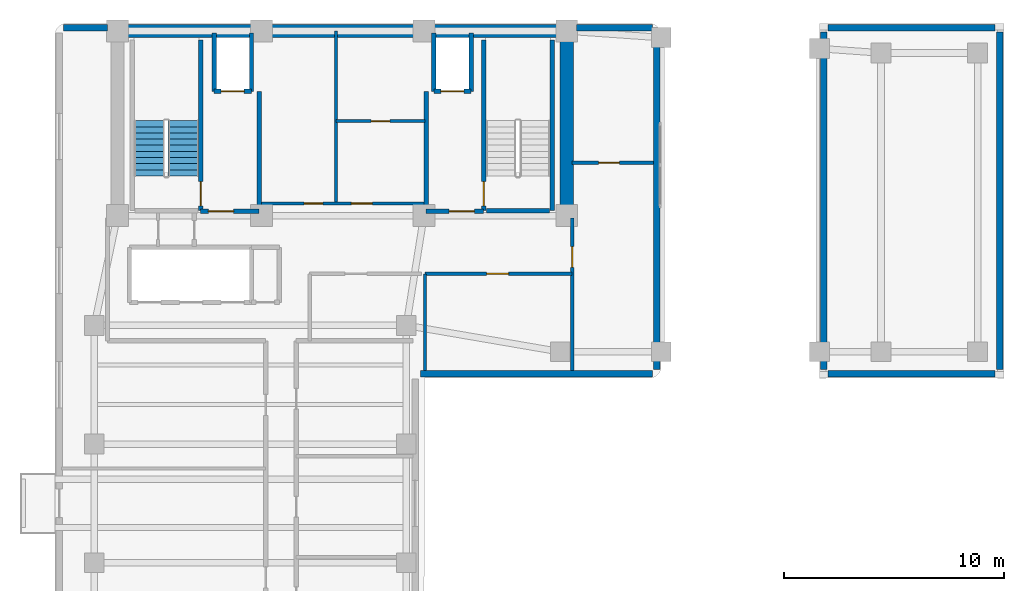
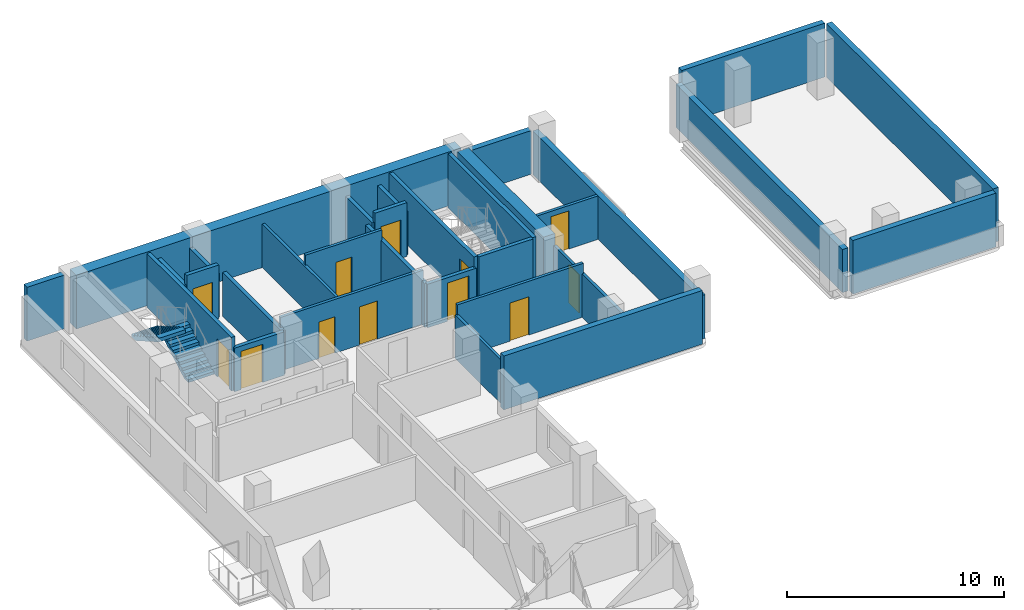
# One storey, part 7 of 10: 31 walls, 12 doors, 2 stair flights, 12 openings, 1 element without a shape of its own.
"""IFC4 building model written with IfcOpenShell, lengths in metres."""

from ifc_helpers import new_model, si_unit, direction, frame, frame_2d, origin, place, context, subcontext, project, spatial, polyline, rectangle, outline, extrude, material, layer, layer_set, type_object, element, fill, aggregate, save


model = new_model("IFC4")

# Units and contexts
model_context = context("Model", 3, precision=1e-05, world=origin(), true_north=direction((0.0, 1.0)))
body_context = subcontext(model_context, "Body", "Model", "MODEL_VIEW")
ifc_project = project(units=[si_unit("LENGTHUNIT", "METRE"), si_unit("AREAUNIT", "SQUARE_METRE"), si_unit("VOLUMEUNIT", "CUBIC_METRE"), si_unit("PLANEANGLEUNIT", "RADIAN"), si_unit("MASSUNIT", "GRAM", prefix="KILO")], contexts=[model_context])

# Site, building, storey
site_placement = place(None, origin())
site = spatial("IfcSite", under=ifc_project, at=site_placement, CompositionType="ELEMENT")
building_placement = place(site_placement, origin())
building = spatial("IfcBuilding", under=site, at=building_placement, Name="Kuzgunbayir Cultural Tower", CompositionType="ELEMENT")
storey_placement = place(building_placement, frame((0.0, 0.0, 163.199951171875)))
storey = spatial("IfcBuildingStorey", under=building, at=storey_placement, Name="L47", CompositionType="ELEMENT", Elevation=163.199951171875)

# Walls
ifc_material_1 = material(Name="Concrete C60/75", Category="concrete")
ifc_layer_1 = layer(ifc_material_1, 0.60009765625)
ifc_layer_set_1 = layer_set([ifc_layer_1], Name="Concrete C60/75")
wall_type_1 = type_object("IfcWallType", Name="WAL-CORE-600", PredefinedType="SHEAR", material=ifc_layer_set_1)
wall_1_placement = place(storey_placement, frame((6.449951171875, 42.199951171875, 0.0), z_axis=(0.0, 0.0, 1.0), x_axis=(1.0, 0.0, 0.0)))
element("IfcWall", 1, at=wall_1_placement, inside=storey, type_object=wall_type_1, Name="L47 T1 Core North Shear Wall", PredefinedType="SHEAR", context=body_context, shape_type="SweptSolid", body=[
    extrude(rectangle(XDim=20.449951171875, YDim=0.60009765625, at=frame_2d((10.22509765625, 0.0))), origin(), (0.0, 0.0, 1.0), 3.02001953125),
])
wall_2_placement = place(storey_placement, frame((26.89990234375, 33.800048828125, 0.0), z_axis=(0.0, 0.0, 1.0), x_axis=(0.0, 1.0, 0.0)))
element("IfcWall", 2, at=wall_2_placement, inside=storey, type_object=wall_type_1, Name="L47 T1 Core East Shear Wall", PredefinedType="SHEAR", context=body_context, shape_type="SweptSolid", body=[
    extrude(rectangle(XDim=7.949951171875, YDim=0.60009765625, at=frame_2d((3.97509765625, 0.0))), origin(), (0.0, 0.0, 1.0), 3.02001953125),
])
ifc_material_2 = material(Name="Anatolian Cream Limestone", Category="masonry")
ifc_layer_2 = layer(ifc_material_2, 0.300048828125)
ifc_layer_set_2 = layer_set([ifc_layer_2], Name="Anatolian Cream Limestone")
wall_type_2 = type_object("IfcWallType", Name="WAL-EXT-STONE-300", PredefinedType="STANDARD", material=ifc_layer_set_2)
wall_3_placement = place(storey_placement, frame((30.800048828125, 42.35009765625, 0.0), z_axis=(0.0, 0.0, 1.0), x_axis=(-1.0, 0.0, 0.0)))
element("IfcWall", 3, at=wall_3_placement, inside=storey, type_object=wall_type_2, Name="L47 North Wing B Limestone Wall", PredefinedType="STANDARD", context=body_context, shape_type="SweptSolid", body=[
    extrude(rectangle(XDim=3.449951171875, YDim=0.300048828125, at=frame_2d((1.72509765625, 0.0))), origin(), (0.0, 0.0, 1.0), 2.449951171875),
])
wall_4_placement = place(storey_placement, frame((6.0, 42.35009765625, 0.0), z_axis=(0.0, 0.0, 1.0), x_axis=(-1.0, 0.0, 0.0)))
element("IfcWall", 4, at=wall_4_placement, inside=storey, type_object=wall_type_2, Name="L47 Core North-West Spandrel Link", PredefinedType="STANDARD", context=body_context, shape_type="SweptSolid", body=[
    extrude(rectangle(XDim=2.0, YDim=0.300048828125, at=frame_2d((1.0, 0.0))), origin(), (0.0, 0.0, 1.0), 3.02001953125),
])
wall_5_placement = place(storey_placement, frame((20.25, 26.60009765625, 0.0), z_axis=(0.0, 0.0, 1.0), x_axis=(1.0, 0.0, 0.0)))
element("IfcWall", 5, at=wall_5_placement, inside=storey, type_object=wall_type_2, Name="L47 Wind-Portal West Wing Wall", PredefinedType="STANDARD", context=body_context, shape_type="SweptSolid", body=[
    extrude(rectangle(XDim=10.550048828125, YDim=0.300048828125, at=frame_2d((5.27490234375, 0.0))), origin(), (0.0, 0.0, 1.0), 3.02001953125),
])
for number, where, z_axis, x_axis, name in (
    (6, (38.800048828125, 26.60009765625, 0.0), (0.0, 0.0, 1.0), (1.0, 0.0, 0.0), "L47 Wind-Portal East Pier South Wall"),
    (7, (46.39990234375, 42.35009765625, 0.0), (0.0, 0.0, 1.0), (-1.0, 0.0, 0.0), "L47 Wind-Portal East Pier North Wall"),
):
    element("IfcWall", number, at=place(storey_placement, frame(where, z_axis=z_axis, x_axis=x_axis)), inside=storey, type_object=wall_type_2, Name=name, PredefinedType="STANDARD", context=body_context, shape_type="SweptSolid", body=[
        extrude(rectangle(XDim=7.599853515625, YDim=0.300048828125, at=frame_2d((3.7998046875, 0.0))), origin(), (0.0, 0.0, 1.0), 3.02001953125),
    ])
wall_6_placement = place(storey_placement, frame((31.0, 26.800048828125, 0.0), z_axis=(0.0, 0.0, 1.0), x_axis=(0.0, 1.0, 0.0)))
element("IfcWall", 8, at=wall_6_placement, inside=storey, type_object=wall_type_2, Name="L47 Wind-Portal West Jamb Wall", PredefinedType="STANDARD", context=body_context, shape_type="SweptSolid", body=[
    extrude(rectangle(XDim=15.349853515625, YDim=0.300048828125, at=frame_2d((7.6748046875, 0.0))), origin(), (0.0, 0.0, 1.0), 2.449951171875),
])
wall_7_placement = place(storey_placement, frame((38.60009765625, 42.14990234375, 0.0), z_axis=(0.0, 0.0, 1.0), x_axis=(0.0, -1.0, 0.0)))
element("IfcWall", 9, at=wall_7_placement, inside=storey, type_object=wall_type_2, Name="L47 Wind-Portal East Jamb Wall", PredefinedType="STANDARD", context=body_context, shape_type="SweptSolid", body=[
    extrude(rectangle(XDim=15.349853515625, YDim=0.300048828125, at=frame_2d((7.6748046875, 0.0))), origin(), (0.0, 0.0, 1.0), 2.420166015625),
])
wall_8_placement = place(storey_placement, frame((46.60009765625, 26.800048828125, 0.0), z_axis=(0.0, 0.0, 1.0), x_axis=(0.0, 1.0, 0.0)))
element("IfcWall", 10, at=wall_8_placement, inside=storey, type_object=wall_type_2, Name="L47 Wind-Portal East Wall", PredefinedType="STANDARD", context=body_context, shape_type="SweptSolid", body=[
    extrude(rectangle(XDim=15.349853515625, YDim=0.300048828125, at=frame_2d((7.6748046875, 0.0))), origin(), (0.0, 0.0, 1.0), 3.02001953125),
])

# Wall, openings, doors
ifc_material_3 = material(Name="Acoustic Double-Stud Drywall", Category="gypsum")
ifc_layer_3 = layer(ifc_material_3, 0.14990234375)
ifc_layer_set_3 = layer_set([ifc_layer_3], Name="Acoustic Double-Stud Drywall")
wall_type_3 = type_object("IfcWallType", Name="WAL-PART-ACOUSTIC-150", PredefinedType="PARTITIONING", material=ifc_layer_set_3)
wall_9_placement = place(storey_placement, frame((12.89990234375, 34.35009765625, 0.0), z_axis=(0.0, 0.0, 1.0), x_axis=(1.0, 0.0, 0.0)))
wall_9 = element("IfcWall", 11, at=wall_9_placement, inside=storey, type_object=wall_type_3, Name="L47 Sky Core South Wall", PredefinedType="PARTITIONING", context=body_context, shape_type="SweptSolid", body=[
    extrude(rectangle(XDim=7.60009765625, YDim=0.14990234375, at=frame_2d((3.800048828125, 0.0))), origin(), (0.0, 0.0, 1.0), 3.02001953125),
])
opening_1_placement = place(wall_9_placement, frame((2.050048828125, 0.0, 0.0)))
opening_1 = element("IfcOpeningElement", 12, at=opening_1_placement, cuts=wall_9, Name="Opening DC-85", PredefinedType="OPENING", context=body_context, shape_type="SweptSolid", body=[
    extrude(rectangle(XDim=0.85009765625, YDim=2.050048828125, at=frame_2d((0.425048828125, 1.02490234375))), frame((0.0, 0.0849609375, 0.0), z_axis=(0.0, -1.0, 0.0), x_axis=(1.0, 0.0, 0.0)), (0.0, 0.0, 1.0), 0.169921875),
])
opening_2_placement = place(wall_9_placement, frame((4.199951171875, 0.0, 0.0)))
opening_2 = element("IfcOpeningElement", 13, at=opening_2_placement, cuts=wall_9, Name="Opening DC-95", PredefinedType="OPENING", context=body_context, shape_type="SweptSolid", body=[
    extrude(rectangle(XDim=0.949951171875, YDim=2.14990234375, at=frame_2d((0.47509765625, 1.074951171875))), frame((0.0, 0.0849609375, 0.0), z_axis=(0.0, -1.0, 0.0), x_axis=(1.0, 0.0, 0.0)), (0.0, 0.0, 1.0), 0.169921875),
])
ifc_material_4 = material(Name="Fire-Rated Veneered Oak Leaf", Category="wood")
door_type_1 = type_object("IfcDoorType", Name="DR-CORE-85", OperationType="NOTDEFINED", PredefinedType="DOOR", material=ifc_material_4)
door_1_placement = place(opening_1_placement, origin())
door_1 = element("IfcDoor", 14, at=door_1_placement, inside=storey, type_object=door_type_1, Name="L47 Study Pod Door", OperationType="SINGLE_SWING_RIGHT", OverallHeight=2.050048828125, OverallWidth=0.85009765625, PredefinedType="DOOR", context=body_context, shape_type="SweptSolid", body=[
    extrude(rectangle(XDim=0.85009765625, YDim=2.050048828125, at=frame_2d((0.425048828125, 1.02490234375))), frame((0.0, 0.02490234375, 0.0), z_axis=(0.0, -1.0, 0.0), x_axis=(1.0, 0.0, 0.0)), (0.0, 0.0, 1.0), 0.050048828125),
])
fill(opening_1, door_1)
door_type_2 = type_object("IfcDoorType", Name="DR-CORE-95", OperationType="NOTDEFINED", PredefinedType="DOOR", material=ifc_material_4)
door_2_placement = place(opening_2_placement, origin())
door_2 = element("IfcDoor", 15, at=door_2_placement, inside=storey, type_object=door_type_2, Name="L47 Tea Salon Door", OperationType="SINGLE_SWING_LEFT", OverallHeight=2.14990234375, OverallWidth=0.949951171875, PredefinedType="DOOR", context=body_context, shape_type="SweptSolid", body=[
    extrude(rectangle(XDim=0.949951171875, YDim=2.14990234375, at=frame_2d((0.47509765625, 1.074951171875))), frame((0.0, 0.02490234375, 0.0), z_axis=(0.0, -1.0, 0.0), x_axis=(1.0, 0.0, 0.0)), (0.0, 0.0, 1.0), 0.050048828125),
])
fill(opening_2, door_2)

# Wall
wall_10_placement = place(storey_placement, frame((16.39990234375, 34.35009765625, 0.0), z_axis=(0.0, 0.0, 1.0), x_axis=(0.0, 1.0, 0.0)))
element("IfcWall", 16, at=wall_10_placement, inside=storey, type_object=wall_type_3, Name="L47 Sky Core Tri-Wall 1", PredefinedType="PARTITIONING", context=body_context, shape_type="SweptSolid", body=[
    extrude(rectangle(XDim=7.849853515625, YDim=0.14990234375, at=frame_2d((3.9248046875, 0.0))), origin(), (0.0, 0.0, 1.0), 2.449951171875),
])

# Wall, opening, door
wall_11_placement = place(storey_placement, frame((16.39990234375, 38.10009765625, 0.0), z_axis=(0.0, 0.0, 1.0), x_axis=(1.0, 0.0, 0.0)))
wall_11 = element("IfcWall", 17, at=wall_11_placement, inside=storey, type_object=wall_type_3, Name="L47 Sky Core Mid Divider", PredefinedType="PARTITIONING", context=body_context, shape_type="SweptSolid", body=[
    extrude(rectangle(XDim=4.050048828125, YDim=0.14990234375, at=frame_2d((2.02490234375, 0.0))), origin(), (0.0, 0.0, 1.0), 3.02001953125),
])
opening_3_placement = place(wall_11_placement, frame((1.60009765625, 0.0, 0.0)))
opening_3 = element("IfcOpeningElement", 18, at=opening_3_placement, cuts=wall_11, Name="Opening DC-85", PredefinedType="OPENING", context=body_context, shape_type="SweptSolid", body=[
    extrude(rectangle(XDim=0.85009765625, YDim=2.050048828125, at=frame_2d((0.425048828125, 1.02490234375))), frame((0.0, 0.0849609375, 0.0), z_axis=(0.0, -1.0, 0.0), x_axis=(1.0, 0.0, 0.0)), (0.0, 0.0, 1.0), 0.169921875),
])
door_3_placement = place(opening_3_placement, origin())
door_3 = element("IfcDoor", 19, at=door_3_placement, inside=storey, type_object=door_type_1, Name="L47 Meditation Room Door", OperationType="SINGLE_SWING_RIGHT", OverallHeight=2.050048828125, OverallWidth=0.85009765625, PredefinedType="DOOR", context=body_context, shape_type="SweptSolid", body=[
    extrude(rectangle(XDim=0.85009765625, YDim=2.050048828125, at=frame_2d((0.425048828125, 1.02490234375))), frame((0.0, 0.02490234375, 0.0), z_axis=(0.0, -1.0, 0.0), x_axis=(1.0, 0.0, 0.0)), (0.0, 0.0, 1.0), 0.050048828125),
])
fill(opening_3, door_3)

wall_12_placement = place(storey_placement, frame((20.449951171875, 31.14990234375, 0.0), z_axis=(0.0, 0.0, 1.0), x_axis=(1.0, 0.0, 0.0)))
wall_12 = element("IfcWall", 20, at=wall_12_placement, inside=storey, type_object=wall_type_3, Name="L47 Wind-Portal Salon North Wall", PredefinedType="PARTITIONING", context=body_context, shape_type="SweptSolid", body=[
    extrude(rectangle(XDim=6.699951171875, YDim=0.14990234375, at=frame_2d((3.35009765625, 0.0))), origin(), (0.0, 0.0, 1.0), 3.02001953125),
])
opening_4_placement = place(wall_12_placement, frame((2.800048828125, 0.0, 0.0)))
opening_4 = element("IfcOpeningElement", 21, at=opening_4_placement, cuts=wall_12, Name="Opening DI-100", PredefinedType="OPENING", context=body_context, shape_type="SweptSolid", body=[
    extrude(rectangle(XDim=1.0, YDim=2.14990234375, at=frame_2d((0.5, 1.074951171875))), frame((0.0, 0.0849609375, 0.0), z_axis=(0.0, -1.0, 0.0), x_axis=(1.0, 0.0, 0.0)), (0.0, 0.0, 1.0), 0.169921875),
])
ifc_material_5 = material(Name="Veneered Oak Single Leaf", Category="wood")
door_type_3 = type_object("IfcDoorType", Name="DR-INT-100", OperationType="NOTDEFINED", PredefinedType="DOOR", material=ifc_material_5)
door_4_placement = place(opening_4_placement, origin())
door_4 = element("IfcDoor", 22, at=door_4_placement, inside=storey, type_object=door_type_3, Name="L47 Wind-Portal Salon Door", OperationType="SINGLE_SWING_LEFT", OverallHeight=2.14990234375, OverallWidth=1.0, PredefinedType="DOOR", context=body_context, shape_type="SweptSolid", body=[
    extrude(rectangle(XDim=1.0, YDim=2.14990234375, at=frame_2d((0.5, 1.074951171875))), frame((0.0, 0.02490234375, 0.0), z_axis=(0.0, -1.0, 0.0), x_axis=(1.0, 0.0, 0.0)), (0.0, 0.0, 1.0), 0.050048828125),
])
fill(opening_4, door_4)

# Wall
wall_13_placement = place(storey_placement, frame((20.449951171875, 26.75, 0.0), z_axis=(0.0, 0.0, 1.0), x_axis=(0.0, 1.0, 0.0)))
element("IfcWall", 23, at=wall_13_placement, inside=storey, type_object=wall_type_3, Name="L47 Wind-Portal Salon West Wall", PredefinedType="PARTITIONING", context=body_context, shape_type="SweptSolid", body=[
    extrude(rectangle(XDim=4.39990234375, YDim=0.14990234375, at=frame_2d((2.199951171875, 0.0))), origin(), (0.0, 0.0, 1.0), 2.449951171875),
])

# Wall, opening, door
wall_14_placement = place(storey_placement, frame((27.14990234375, 26.75, 0.0), z_axis=(0.0, 0.0, 1.0), x_axis=(0.0, 1.0, 0.0)))
wall_14 = element("IfcWall", 24, at=wall_14_placement, inside=storey, type_object=wall_type_3, Name="L47 Wind-Portal East Atelier Wall", PredefinedType="PARTITIONING", context=body_context, shape_type="SweptSolid", body=[
    extrude(rectangle(XDim=6.929931640625, YDim=0.14990234375, at=frame_2d((3.46484375, 0.0))), origin(), (0.0, 0.0, 1.0), 2.449951171875),
])
opening_5_placement = place(wall_14_placement, frame((4.68994140625, 0.0, 0.0)))
opening_5 = element("IfcOpeningElement", 25, at=opening_5_placement, cuts=wall_14, Name="Opening DI-90", PredefinedType="OPENING", context=body_context, shape_type="SweptSolid", body=[
    extrude(rectangle(XDim=0.949951171875, YDim=2.14990234375, at=frame_2d((0.47509765625, 1.074951171875))), frame((0.0, 0.0849609375, 0.0), z_axis=(0.0, -1.0, 0.0), x_axis=(1.0, 0.0, 0.0)), (0.0, 0.0, 1.0), 0.169921875),
])
door_type_4 = type_object("IfcDoorType", Name="DR-INT-90", OperationType="NOTDEFINED", PredefinedType="DOOR", material=ifc_material_5)
door_5_placement = place(opening_5_placement, origin())
door_5 = element("IfcDoor", 26, at=door_5_placement, inside=storey, type_object=door_type_4, Name="L47 Wind-Portal Lookout Door", OperationType="SINGLE_SWING_RIGHT", OverallHeight=2.14990234375, OverallWidth=0.949951171875, PredefinedType="DOOR", context=body_context, shape_type="SweptSolid", body=[
    extrude(rectangle(XDim=0.949951171875, YDim=2.14990234375, at=frame_2d((0.47509765625, 1.074951171875))), frame((0.0, 0.02490234375, 0.0), z_axis=(0.0, -1.0, 0.0), x_axis=(1.0, 0.0, 0.0)), (0.0, 0.0, 1.0), 0.050048828125),
])
fill(opening_5, door_5)

wall_15_placement = place(storey_placement, frame((27.14990234375, 36.199951171875, 0.0), z_axis=(0.0, 0.0, 1.0), x_axis=(1.0, 0.0, 0.0)))
wall_15 = element("IfcWall", 27, at=wall_15_placement, inside=storey, type_object=wall_type_3, Name="L47 Wind-Portal Atelier Divider", PredefinedType="PARTITIONING", context=body_context, shape_type="SweptSolid", body=[
    extrude(rectangle(XDim=3.7001953125, YDim=0.14990234375, at=frame_2d((1.85009765625, 0.0))), origin(), (0.0, 0.0, 1.0), 2.449951171875),
])
opening_6_placement = place(wall_15_placement, frame((1.199951171875, 0.0, 0.0)))
opening_6 = element("IfcOpeningElement", 28, at=opening_6_placement, cuts=wall_15, Name="Opening DI-90", PredefinedType="OPENING", context=body_context, shape_type="SweptSolid", body=[
    extrude(rectangle(XDim=0.949951171875, YDim=2.14990234375, at=frame_2d((0.47509765625, 1.074951171875))), frame((0.0, 0.0849609375, 0.0), z_axis=(0.0, -1.0, 0.0), x_axis=(1.0, 0.0, 0.0)), (0.0, 0.0, 1.0), 0.169921875),
])
door_6_placement = place(opening_6_placement, origin())
door_6 = element("IfcDoor", 29, at=door_6_placement, inside=storey, type_object=door_type_4, Name="L47 Wind-Portal Atelier Door", OperationType="SINGLE_SWING_LEFT", OverallHeight=2.14990234375, OverallWidth=0.949951171875, PredefinedType="DOOR", context=body_context, shape_type="SweptSolid", body=[
    extrude(rectangle(XDim=0.949951171875, YDim=2.14990234375, at=frame_2d((0.47509765625, 1.074951171875))), frame((0.0, 0.02490234375, 0.0), z_axis=(0.0, -1.0, 0.0), x_axis=(1.0, 0.0, 0.0)), (0.0, 0.0, 1.0), 0.050048828125),
])
fill(opening_6, door_6)

# Wall
ifc_material_6 = material(Name="Aerated Concrete Blockwork", Category="masonry")
ifc_layer_4 = layer(ifc_material_6, 0.199951171875)
ifc_layer_set_4 = layer_set([ifc_layer_4], Name="Aerated Concrete Blockwork")
wall_type_4 = type_object("IfcWallType", Name="WAL-PART-FIRE-200", PredefinedType="PARTITIONING", material=ifc_layer_set_4)
wall_16_placement = place(storey_placement, frame((12.89990234375, 34.0, 0.0), z_axis=(0.0, 0.0, 1.0), x_axis=(0.0, 1.0, 0.0)))
element("IfcWall", 30, at=wall_16_placement, inside=storey, type_object=wall_type_4, Name="L47 FFL-1 Lobby East Fire Wall", PredefinedType="PARTITIONING", context=body_context, shape_type="SweptSolid", body=[
    extrude(rectangle(XDim=5.449951171875, YDim=0.199951171875, at=frame_2d((2.72509765625, 0.0))), origin(), (0.0, 0.0, 1.0), 2.449951171875),
])

# Wall, opening, door
wall_17_placement = place(storey_placement, frame((10.239990234375, 34.0, 0.0), z_axis=(0.0, 0.0, 1.0), x_axis=(1.0, 0.0, 0.0)))
wall_17 = element("IfcWall", 31, at=wall_17_placement, inside=storey, type_object=wall_type_4, Name="L47 FFL-1 Lobby South Fire Wall", PredefinedType="PARTITIONING", context=body_context, shape_type="SweptSolid", body=[
    extrude(rectangle(XDim=2.659912109375, YDim=0.199951171875, at=frame_2d((1.330078125, 0.0))), origin(), (0.0, 0.0, 1.0), 2.449951171875),
])
opening_7_placement = place(wall_17_placement, frame((0.35009765625, 0.0, 0.0)))
opening_7 = element("IfcOpeningElement", 32, at=opening_7_placement, cuts=wall_17, Name="Opening DR-FFL-90", PredefinedType="OPENING", context=body_context, shape_type="SweptSolid", body=[
    extrude(rectangle(XDim=1.14990234375, YDim=2.14990234375, at=frame_2d((0.574951171875, 1.074951171875))), frame((0.0, 0.10986328125, 0.0), z_axis=(0.0, -1.0, 0.0), x_axis=(1.0, 0.0, 0.0)), (0.0, 0.0, 1.0), 0.219970703125),
])
ifc_material_7 = material(Name="Steel S355J2", Category="steel")
door_type_5 = type_object("IfcDoorType", Name="DR-FFL-90", OperationType="NOTDEFINED", PredefinedType="DOOR", material=ifc_material_7)
door_7_placement = place(opening_7_placement, origin())
door_7 = element("IfcDoor", 33, at=door_7_placement, inside=storey, type_object=door_type_5, Name="L47 Firefighting Lobby 1 Door", OperationType="SINGLE_SWING_LEFT", OverallHeight=2.14990234375, OverallWidth=1.14990234375, PredefinedType="DOOR", context=body_context, shape_type="SweptSolid", body=[
    extrude(rectangle(XDim=1.14990234375, YDim=2.14990234375, at=frame_2d((0.574951171875, 1.074951171875))), frame((0.0, 0.02490234375, 0.0), z_axis=(0.0, -1.0, 0.0), x_axis=(1.0, 0.0, 0.0)), (0.0, 0.0, 1.0), 0.050048828125),
])
fill(opening_7, door_7)

# Wall
wall_18_placement = place(storey_placement, frame((20.5, 34.0, 0.0), z_axis=(0.0, 0.0, 1.0), x_axis=(0.0, 1.0, 0.0)))
element("IfcWall", 34, at=wall_18_placement, inside=storey, type_object=wall_type_4, Name="L47 FFL-2 Lobby West Fire Wall", PredefinedType="PARTITIONING", context=body_context, shape_type="SweptSolid", body=[
    extrude(rectangle(XDim=5.449951171875, YDim=0.199951171875, at=frame_2d((2.72509765625, 0.0))), origin(), (0.0, 0.0, 1.0), 2.449951171875),
])

# Wall, opening, door
wall_19_placement = place(storey_placement, frame((20.5, 34.0, 0.0), z_axis=(0.0, 0.0, 1.0), x_axis=(1.0, 0.0, 0.0)))
wall_19 = element("IfcWall", 35, at=wall_19_placement, inside=storey, type_object=wall_type_4, Name="L47 FFL-2 Lobby South Fire Wall", PredefinedType="PARTITIONING", context=body_context, shape_type="SweptSolid", body=[
    extrude(rectangle(XDim=2.60009765625, YDim=0.199951171875, at=frame_2d((1.300048828125, 0.0))), origin(), (0.0, 0.0, 1.0), 2.449951171875),
])
opening_8_placement = place(wall_19_placement, frame((1.050048828125, 0.0, 0.0)))
opening_8 = element("IfcOpeningElement", 36, at=opening_8_placement, cuts=wall_19, Name="Opening DR-FFL-90", PredefinedType="OPENING", context=body_context, shape_type="SweptSolid", body=[
    extrude(rectangle(XDim=1.14990234375, YDim=2.14990234375, at=frame_2d((0.574951171875, 1.074951171875))), frame((0.0, 0.10986328125, 0.0), z_axis=(0.0, -1.0, 0.0), x_axis=(1.0, 0.0, 0.0)), (0.0, 0.0, 1.0), 0.219970703125),
])
door_8_placement = place(opening_8_placement, origin())
door_8 = element("IfcDoor", 37, at=door_8_placement, inside=storey, type_object=door_type_5, Name="L47 Firefighting Lobby 2 Door", OperationType="SINGLE_SWING_RIGHT", OverallHeight=2.14990234375, OverallWidth=1.14990234375, PredefinedType="DOOR", context=body_context, shape_type="SweptSolid", body=[
    extrude(rectangle(XDim=1.14990234375, YDim=2.14990234375, at=frame_2d((0.574951171875, 1.074951171875))), frame((0.0, 0.02490234375, 0.0), z_axis=(0.0, -1.0, 0.0), x_axis=(1.0, 0.0, 0.0)), (0.0, 0.0, 1.0), 0.050048828125),
])
fill(opening_8, door_8)

ifc_material_8 = material(Name="Concrete C40/50", Category="concrete")
ifc_layer_5 = layer(ifc_material_8, 0.199951171875)
ifc_layer_set_5 = layer_set([ifc_layer_5], Name="Concrete C40/50")
wall_type_5 = type_object("IfcWallType", Name="WAL-SHAFT-200", PredefinedType="MOVABLE", material=ifc_layer_set_5)
wall_20_placement = place(storey_placement, frame((10.85009765625, 39.449951171875, 0.0), z_axis=(0.0, 0.0, 1.0), x_axis=(1.0, 0.0, 0.0)))
wall_20 = element("IfcWall", 38, at=wall_20_placement, inside=storey, type_object=wall_type_5, Name="L47 FFL-1 Lift Front Wall", PredefinedType="MOVABLE", context=body_context, shape_type="SweptSolid", body=[
    extrude(rectangle(XDim=1.699951171875, YDim=0.199951171875, at=frame_2d((0.85009765625, 0.0))), origin(), (0.0, 0.0, 1.0), 3.02001953125),
])
opening_9_placement = place(wall_20_placement, frame((0.320068359375, 0.0, 0.0)))
opening_9 = element("IfcOpeningElement", 39, at=opening_9_placement, cuts=wall_20, Name="Opening LD", PredefinedType="OPENING", context=body_context, shape_type="SweptSolid", body=[
    extrude(rectangle(XDim=1.050048828125, YDim=2.14990234375, at=frame_2d((0.52490234375, 1.074951171875))), frame((0.0, 0.10986328125, 0.0), z_axis=(0.0, -1.0, 0.0), x_axis=(1.0, 0.0, 0.0)), (0.0, 0.0, 1.0), 0.219970703125),
])
ifc_material_9 = material(Name="Brushed Stainless Steel", Category="steel")
door_type_6 = type_object("IfcDoorType", Name="DR-LIFT-LANDING", OperationType="SLIDING_TO_LEFT", PredefinedType="DOOR", material=ifc_material_9)
door_9_placement = place(opening_9_placement, origin())
door_9 = element("IfcDoor", 40, at=door_9_placement, inside=storey, type_object=door_type_6, Name="L47 Lift FFL-1 Landing Door", OperationType="SLIDING_TO_LEFT", OverallHeight=2.14990234375, OverallWidth=1.050048828125, PredefinedType="DOOR", context=body_context, shape_type="SweptSolid", body=[
    extrude(rectangle(XDim=1.050048828125, YDim=2.14990234375, at=frame_2d((0.52490234375, 1.074951171875))), frame((0.0, 0.02490234375, 0.0), z_axis=(0.0, -1.0, 0.0), x_axis=(1.0, 0.0, 0.0)), (0.0, 0.0, 1.0), 0.050048828125),
])
fill(opening_9, door_9)

wall_21_placement = place(storey_placement, frame((20.85009765625, 39.449951171875, 0.0), z_axis=(0.0, 0.0, 1.0), x_axis=(1.0, 0.0, 0.0)))
wall_21 = element("IfcWall", 41, at=wall_21_placement, inside=storey, type_object=wall_type_5, Name="L47 FFL-2 Lift Front Wall", PredefinedType="MOVABLE", context=body_context, shape_type="SweptSolid", body=[
    extrude(rectangle(XDim=1.699951171875, YDim=0.199951171875, at=frame_2d((0.85009765625, 0.0))), origin(), (0.0, 0.0, 1.0), 3.02001953125),
])
opening_10_placement = place(wall_21_placement, frame((0.320068359375, 0.0, 0.0)))
opening_10 = element("IfcOpeningElement", 42, at=opening_10_placement, cuts=wall_21, Name="Opening LD", PredefinedType="OPENING", context=body_context, shape_type="SweptSolid", body=[
    extrude(rectangle(XDim=1.050048828125, YDim=2.14990234375, at=frame_2d((0.52490234375, 1.074951171875))), frame((0.0, 0.10986328125, 0.0), z_axis=(0.0, -1.0, 0.0), x_axis=(1.0, 0.0, 0.0)), (0.0, 0.0, 1.0), 0.219970703125),
])
door_10_placement = place(opening_10_placement, origin())
door_10 = element("IfcDoor", 43, at=door_10_placement, inside=storey, type_object=door_type_6, Name="L47 Lift FFL-2 Landing Door", OperationType="SLIDING_TO_LEFT", OverallHeight=2.14990234375, OverallWidth=1.050048828125, PredefinedType="DOOR", context=body_context, shape_type="SweptSolid", body=[
    extrude(rectangle(XDim=1.050048828125, YDim=2.14990234375, at=frame_2d((0.52490234375, 1.074951171875))), frame((0.0, 0.02490234375, 0.0), z_axis=(0.0, -1.0, 0.0), x_axis=(1.0, 0.0, 0.0)), (0.0, 0.0, 1.0), 0.050048828125),
])
fill(opening_10, door_10)

# Walls
for number, where, z_axis, x_axis, name in (
    (44, (10.85009765625, 39.449951171875, 0.0), (0.0, 0.0, 1.0), (0.0, 1.0, 0.0), "L47 FFL-1 Shaft West Wall"),
    (45, (12.550048828125, 39.449951171875, 0.0), (0.0, 0.0, 1.0), (0.0, 1.0, 0.0), "L47 FFL-1 Shaft East Wall"),
    (46, (20.85009765625, 39.449951171875, 0.0), (0.0, 0.0, 1.0), (0.0, 1.0, 0.0), "L47 FFL-2 Shaft West Wall"),
    (47, (22.550048828125, 39.449951171875, 0.0), (0.0, 0.0, 1.0), (0.0, 1.0, 0.0), "L47 FFL-2 Shaft East Wall"),
):
    element("IfcWall", number, at=place(storey_placement, frame(where, z_axis=z_axis, x_axis=x_axis)), inside=storey, type_object=wall_type_5, Name=name, PredefinedType="MOVABLE", context=body_context, shape_type="SweptSolid", body=[
        extrude(rectangle(XDim=2.650146484375, YDim=0.199951171875, at=frame_2d((1.3251953125, 0.0))), origin(), (0.0, 0.0, 1.0), 2.449951171875),
    ])

# Wall, opening, door
ifc_layer_6 = layer(ifc_material_8, 0.199951171875)
ifc_layer_set_6 = layer_set([ifc_layer_6], Name="Concrete C40/50")
wall_type_6 = type_object("IfcWallType", Name="WAL-STAIR-RC-200", PredefinedType="SHEAR", material=ifc_layer_set_6)
wall_22_placement = place(storey_placement, frame((10.239990234375, 34.02001953125, 0.0), z_axis=(0.0, 0.0, 1.0), x_axis=(0.0, 1.0, 0.0)))
wall_22 = element("IfcWall", 48, at=wall_22_placement, inside=storey, type_object=wall_type_6, Name="L47 Stair ST-1 East Structural Wall", PredefinedType="SHEAR", context=body_context, shape_type="SweptSolid", body=[
    extrude(rectangle(XDim=7.780029296875, YDim=0.199951171875, at=frame_2d((3.89013671875, 0.0))), origin(), (0.0, 0.0, 1.0), 3.02001953125),
])
opening_11_placement = place(wall_22_placement, frame((0.219970703125, 0.0, 0.0)))
opening_11 = element("IfcOpeningElement", 49, at=opening_11_placement, cuts=wall_22, Name="Opening DR-STAIR-90", PredefinedType="OPENING", context=body_context, shape_type="SweptSolid", body=[
    extrude(rectangle(XDim=1.10009765625, YDim=2.14990234375, at=frame_2d((0.550048828125, 1.074951171875))), frame((0.0, 0.10986328125, 0.0), z_axis=(0.0, -1.0, 0.0), x_axis=(1.0, 0.0, 0.0)), (0.0, 0.0, 1.0), 0.219970703125),
])
door_type_7 = type_object("IfcDoorType", Name="DR-STAIR-90", OperationType="NOTDEFINED", PredefinedType="DOOR", material=ifc_material_7)
door_11_placement = place(opening_11_placement, origin())
door_11 = element("IfcDoor", 50, at=door_11_placement, inside=storey, type_object=door_type_7, Name="L47 Stair ST-1 Fire Door", OperationType="SINGLE_SWING_LEFT", OverallHeight=2.14990234375, OverallWidth=1.10009765625, PredefinedType="DOOR", context=body_context, shape_type="SweptSolid", body=[
    extrude(rectangle(XDim=1.10009765625, YDim=2.14990234375, at=frame_2d((0.550048828125, 1.074951171875))), frame((0.0, 0.02490234375, 0.0), z_axis=(0.0, -1.0, 0.0), x_axis=(1.0, 0.0, 0.0)), (0.0, 0.0, 1.0), 0.050048828125),
])
fill(opening_11, door_11)

wall_23_placement = place(storey_placement, frame((23.1201171875, 34.02001953125, 0.0), z_axis=(0.0, 0.0, 1.0), x_axis=(0.0, 1.0, 0.0)))
wall_23 = element("IfcWall", 51, at=wall_23_placement, inside=storey, type_object=wall_type_6, Name="L47 Stair ST-2 West Structural Wall", PredefinedType="SHEAR", context=body_context, shape_type="SweptSolid", body=[
    extrude(rectangle(XDim=7.780029296875, YDim=0.199951171875, at=frame_2d((3.89013671875, 0.0))), origin(), (0.0, 0.0, 1.0), 3.02001953125),
])
opening_12_placement = place(wall_23_placement, frame((0.219970703125, 0.0, 0.0)))
opening_12 = element("IfcOpeningElement", 52, at=opening_12_placement, cuts=wall_23, Name="Opening DR-STAIR-90", PredefinedType="OPENING", context=body_context, shape_type="SweptSolid", body=[
    extrude(rectangle(XDim=1.10009765625, YDim=2.14990234375, at=frame_2d((0.550048828125, 1.074951171875))), frame((0.0, 0.10986328125, 0.0), z_axis=(0.0, -1.0, 0.0), x_axis=(1.0, 0.0, 0.0)), (0.0, 0.0, 1.0), 0.219970703125),
])
door_12_placement = place(opening_12_placement, origin())
door_12 = element("IfcDoor", 53, at=door_12_placement, inside=storey, type_object=door_type_7, Name="L47 Stair ST-2 Fire Door", OperationType="SINGLE_SWING_LEFT", OverallHeight=2.14990234375, OverallWidth=1.10009765625, PredefinedType="DOOR", context=body_context, shape_type="SweptSolid", body=[
    extrude(rectangle(XDim=1.10009765625, YDim=2.14990234375, at=frame_2d((0.550048828125, 1.074951171875))), frame((0.0, 0.02490234375, 0.0), z_axis=(0.0, -1.0, 0.0), x_axis=(1.0, 0.0, 0.0)), (0.0, 0.0, 1.0), 0.050048828125),
])
fill(opening_12, door_12)

# Walls
wall_24_placement = place(storey_placement, frame((26.239990234375, 34.02001953125, 0.0), z_axis=(0.0, 0.0, 1.0), x_axis=(0.0, 1.0, 0.0)))
element("IfcWall", 54, at=wall_24_placement, inside=storey, type_object=wall_type_6, Name="L47 Stair ST-2 East Structural Wall", PredefinedType="SHEAR", context=body_context, shape_type="SweptSolid", body=[
    extrude(rectangle(XDim=7.780029296875, YDim=0.199951171875, at=frame_2d((3.89013671875, 0.0))), origin(), (0.0, 0.0, 1.0), 3.02001953125),
])
wall_25_placement = place(storey_placement, frame((23.239990234375, 34.02001953125, 0.0), z_axis=(0.0, 0.0, 1.0), x_axis=(1.0, 0.0, 0.0)))
element("IfcWall", 55, at=wall_25_placement, inside=storey, type_object=wall_type_6, Name="L47 Stair ST-2 South Structural Wall", PredefinedType="SHEAR", context=body_context, shape_type="SweptSolid", body=[
    extrude(rectangle(XDim=2.880126953125, YDim=0.199951171875, at=frame_2d((1.43994140625, 0.0))), origin(), (0.0, 0.0, 1.0), 3.02001953125),
])

# Stair, stair flights
stair_type = type_object("IfcStairType", Name="STR-EXIT-CORE", PredefinedType="HALF_TURN_STAIR", material=ifc_material_8)
stair_placement = place(storey_placement, origin())
stair = element("IfcStair", 56, at=stair_placement, inside=storey, type_object=stair_type, Name="L47 ST-1", PredefinedType="HALF_TURN_STAIR")
stair_flight_type = type_object("IfcStairFlightType", Name="STRF-RC-140", PredefinedType="STRAIGHT", material=ifc_material_8)
stair_flight_1_placement = place(storey_placement, frame((9.4599609375, 35.60009765625, 0.0), z_axis=(0.0, 0.0, 1.0), x_axis=(0.0, 1.0, 0.0)))
stair_flight_1 = element("IfcStairFlight", 57, at=stair_flight_1_placement, type_object=stair_flight_type, Name="ST-1 flight 1", NumberOfRisers=10, NumberOfTreads=9, PredefinedType="STRAIGHT", RiserHeight=0.16, TreadLength=0.28, context=body_context, shape_type="SweptSolid", body=[
    extrude(outline(polyline([(0.0, 0.0), (0.0, 0.159912109375), (0.280029296875, 0.159912109375), (0.280029296875, 0.320068359375), (0.56005859375, 0.320068359375), (0.56005859375, 0.47998046875), (0.840087890625, 0.47998046875), (0.840087890625, 0.639892578125), (1.1201171875, 0.639892578125), (1.1201171875, 0.800048828125), (1.39990234375, 0.800048828125), (1.39990234375, 0.9599609375), (1.679931640625, 0.9599609375), (1.679931640625, 1.1201171875), (1.9599609375, 1.1201171875), (1.9599609375, 1.280029296875), (2.239990234375, 1.280029296875), (2.239990234375, 1.43994140625), (2.52001953125, 1.43994140625), (2.52001953125, 1.60009765625), (2.52001953125, 1.232666015625), (0.362548828125, 0.0), (0.0, 0.0)])), frame((0.0, 0.699951171875, 0.0), z_axis=(0.0, -1.0, 0.0), x_axis=(1.0, 0.0, 0.0)), (0.0, 0.0, 1.0), 1.39990234375),
])
stair_flight_2_placement = place(storey_placement, frame((7.89990234375, 38.1201171875, 1.60009765625), z_axis=(0.0, 0.0, 1.0), x_axis=(0.0, -1.0, 0.0)))
stair_flight_2 = element("IfcStairFlight", 58, at=stair_flight_2_placement, type_object=stair_flight_type, Name="ST-1 flight 2", NumberOfRisers=10, NumberOfTreads=9, PredefinedType="STRAIGHT", RiserHeight=0.16, TreadLength=0.28, context=body_context, shape_type="SweptSolid", body=[
    extrude(outline(polyline([(0.0, 0.0), (0.0, 0.159912109375), (0.280029296875, 0.159912109375), (0.280029296875, 0.320068359375), (0.56005859375, 0.320068359375), (0.56005859375, 0.47998046875), (0.840087890625, 0.47998046875), (0.840087890625, 0.639892578125), (1.1201171875, 0.639892578125), (1.1201171875, 0.800048828125), (1.39990234375, 0.800048828125), (1.39990234375, 0.9599609375), (1.679931640625, 0.9599609375), (1.679931640625, 1.1201171875), (1.9599609375, 1.1201171875), (1.9599609375, 1.280029296875), (2.239990234375, 1.280029296875), (2.239990234375, 1.43994140625), (2.52001953125, 1.43994140625), (2.52001953125, 1.60009765625), (2.52001953125, 1.232666015625), (0.362548828125, 0.0), (0.0, 0.0)])), frame((0.0, 0.699951171875, 0.0), z_axis=(0.0, -1.0, 0.0), x_axis=(1.0, 0.0, 0.0)), (0.0, 0.0, 1.0), 1.39990234375),
])
aggregate(stair, [stair_flight_1, stair_flight_2])

save(model, "model.ifc")
